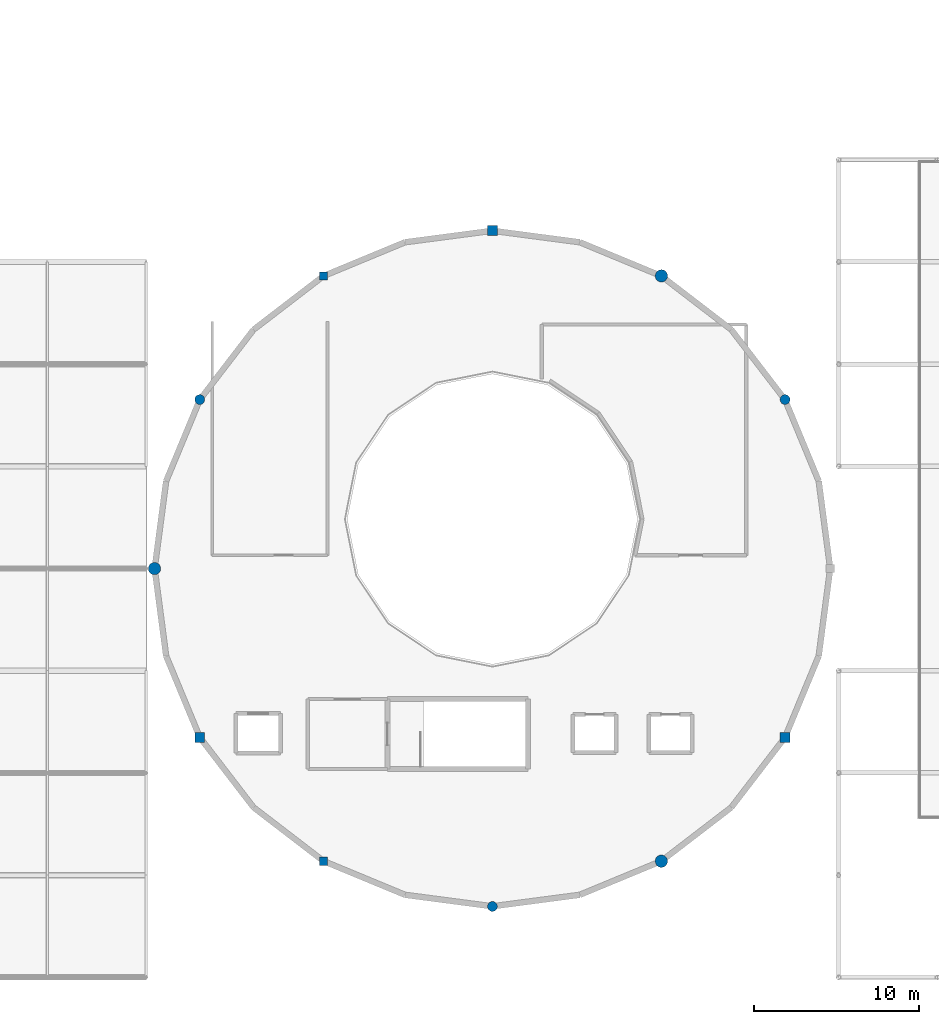
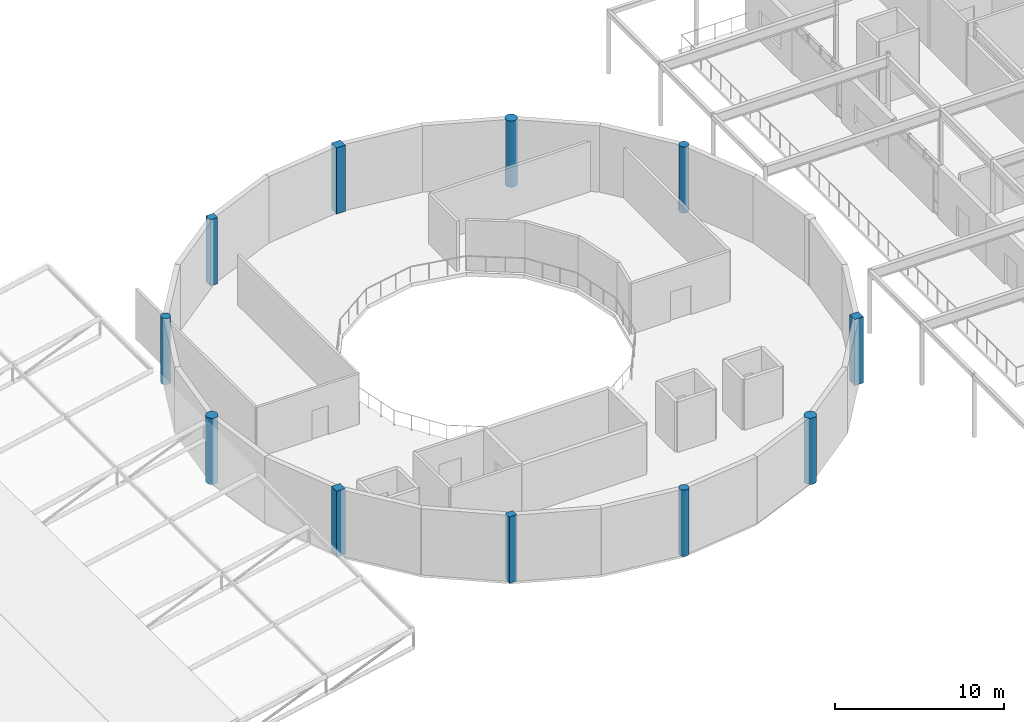
# One storey, part 1 of 48: 11 columns.
"""IFC4 building model written with IfcOpenShell, lengths in metres."""

from ifc_helpers import new_model, si_unit, direction, frame, origin, origin_2d, place, context, subcontext, project, spatial, rectangle, circle, extrude, material, material_profile, profile_set, type_object, element, save


model = new_model("IFC4")

# Units and contexts
model_context = context("Model", 3, precision=1e-05, world=origin(), true_north=direction((0.0, 1.0)))
body_context = subcontext(model_context, "Body", "Model", "MODEL_VIEW")
ifc_project = project(units=[si_unit("LENGTHUNIT", "METRE"), si_unit("AREAUNIT", "SQUARE_METRE"), si_unit("VOLUMEUNIT", "CUBIC_METRE"), si_unit("PLANEANGLEUNIT", "RADIAN"), si_unit("MASSUNIT", "GRAM", prefix="KILO")], contexts=[model_context])

# Site, building, storey
site_placement = place(None, origin())
site = spatial("IfcSite", under=ifc_project, at=site_placement, CompositionType="ELEMENT")
building_placement = place(site_placement, origin())
building = spatial("IfcBuilding", under=site, at=building_placement, Name="Mirzam Square Science Centre", CompositionType="ELEMENT")
storey_placement = place(building_placement, frame((0.0, 0.0, 20.39990234375)))
storey = spatial("IfcBuildingStorey", under=building, at=storey_placement, Name="L04", CompositionType="ELEMENT", Elevation=20.39990234375)

# Columns
ifc_material = material(Name="Concrete C45/55", Category="concrete")
ifc_material_profile_1 = material_profile(ifc_material, rectangle(XDim=0.5, YDim=0.5, at=origin_2d()), Name="RC500x500")
ifc_profile_set_1 = profile_set([ifc_material_profile_1], Name="Concrete C45/55")
column_type_1 = type_object("IfcColumnType", Name="PIL-RC500", PredefinedType="PILASTER", material=ifc_profile_set_1)
for number, where, z_axis, x_axis, name in (
    (1, (70.75, 79.75341796875, 0.0), (0.0, 0.0, 1.0), (1.0, 0.0, 0.0), "L04 drum pilaster 09"),
    (2, (70.75, 44.24658203125, 0.0), (0.0, 0.0, 1.0), (1.0, 0.0, 0.0), "L04 drum pilaster 17"),
):
    element("IfcColumn", number, at=place(storey_placement, frame(where, z_axis=z_axis, x_axis=x_axis)), inside=storey, type_object=column_type_1, Name=name, PredefinedType="PILASTER", context=body_context, shape_type="SweptSolid", body=[
        extrude(rectangle(XDim=0.5, YDim=0.5, at=origin_2d()), origin(), (0.0, 0.0, 1.0), 4.800048828125),
    ])
ifc_material_profile_2 = material_profile(ifc_material, rectangle(XDim=0.60009765625, YDim=0.60009765625, at=origin_2d()), Name="RC600x600")
ifc_profile_set_2 = profile_set([ifc_material_profile_2], Name="Concrete C45/55")
column_type_2 = type_object("IfcColumnType", Name="PIL-RC600", PredefinedType="PILASTER", material=ifc_profile_set_2)
for number, where, z_axis, x_axis, name in (
    (3, (81.0, 82.5, 0.0), (0.0, 0.0, 1.0), (1.0, 0.0, 0.0), "L04 drum pilaster 07"),
    (4, (63.24658203125, 51.75, 0.0), (0.0, 0.0, 1.0), (1.0, 0.0, 0.0), "L04 drum pilaster 15"),
    (5, (98.75341796875, 51.75, 0.0), (0.0, 0.0, 1.0), (1.0, 0.0, 0.0), "L04 drum pilaster 23"),
):
    element("IfcColumn", number, at=place(storey_placement, frame(where, z_axis=z_axis, x_axis=x_axis)), inside=storey, type_object=column_type_2, Name=name, PredefinedType="PILASTER", context=body_context, shape_type="SweptSolid", body=[
        extrude(rectangle(XDim=0.60009765625, YDim=0.60009765625, at=origin_2d()), origin(), (0.0, 0.0, 1.0), 4.800048828125),
    ])
ifc_material_profile_3 = material_profile(ifc_material, circle(Radius=0.300048828125, at=origin_2d()), Name="RCD600")
ifc_profile_set_3 = profile_set([ifc_material_profile_3], Name="Concrete C45/55")
column_type_3 = type_object("IfcColumnType", Name="PIL-RCD600", PredefinedType="PILASTER", material=ifc_profile_set_3)
for number, where, z_axis, x_axis, name in (
    (6, (98.75341796875, 72.25, 0.0), (0.0, 0.0, 1.0), (1.0, 0.0, 0.0), "L04 drum pilaster 03"),
    (7, (63.24658203125, 72.25, 0.0), (0.0, 0.0, 1.0), (1.0, 0.0, 0.0), "L04 drum pilaster 11"),
    (8, (81.0, 41.5, 0.0), (0.0, 0.0, 1.0), (1.0, 0.0, 0.0), "L04 drum pilaster 19"),
):
    element("IfcColumn", number, at=place(storey_placement, frame(where, z_axis=z_axis, x_axis=x_axis)), inside=storey, type_object=column_type_3, Name=name, PredefinedType="PILASTER", context=body_context, shape_type="SweptSolid", body=[
        extrude(circle(Radius=0.300048828125, at=origin_2d()), origin(), (0.0, 0.0, 1.0), 4.800048828125),
    ])
ifc_material_profile_4 = material_profile(ifc_material, circle(Radius=0.375, at=origin_2d()), Name="RCD750")
ifc_profile_set_4 = profile_set([ifc_material_profile_4], Name="Concrete C45/55")
column_type_4 = type_object("IfcColumnType", Name="PIL-RCD750", PredefinedType="PILASTER", material=ifc_profile_set_4)
for number, where, z_axis, x_axis, name in (
    (9, (91.25, 79.75341796875, 0.0), (0.0, 0.0, 1.0), (1.0, 0.0, 0.0), "L04 drum pilaster 05"),
    (10, (60.5, 62.0, 0.0), (0.0, 0.0, 1.0), (1.0, 0.0, 0.0), "L04 drum pilaster 13"),
    (11, (91.25, 44.24658203125, 0.0), (0.0, 0.0, 1.0), (1.0, 0.0, 0.0), "L04 drum pilaster 21"),
):
    element("IfcColumn", number, at=place(storey_placement, frame(where, z_axis=z_axis, x_axis=x_axis)), inside=storey, type_object=column_type_4, Name=name, PredefinedType="PILASTER", context=body_context, shape_type="SweptSolid", body=[
        extrude(circle(Radius=0.375, at=origin_2d()), origin(), (0.0, 0.0, 1.0), 4.800048828125),
    ])

save(model, "model.ifc")
